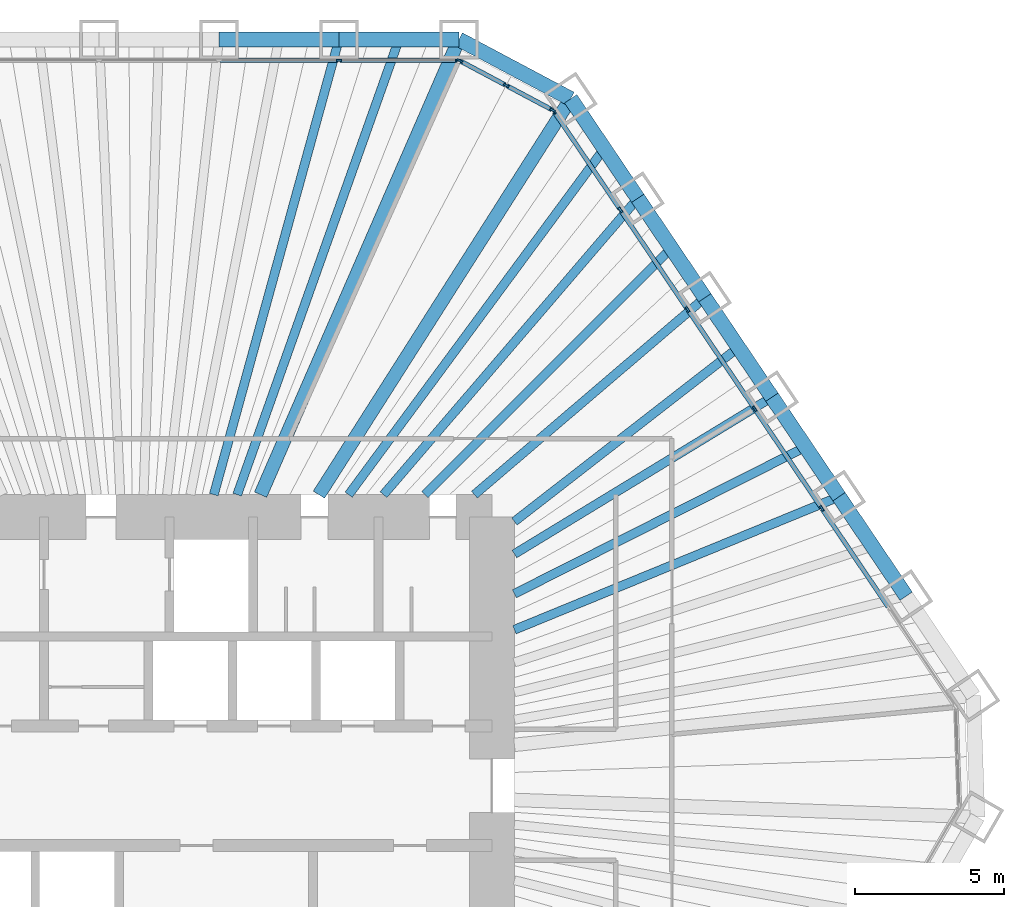
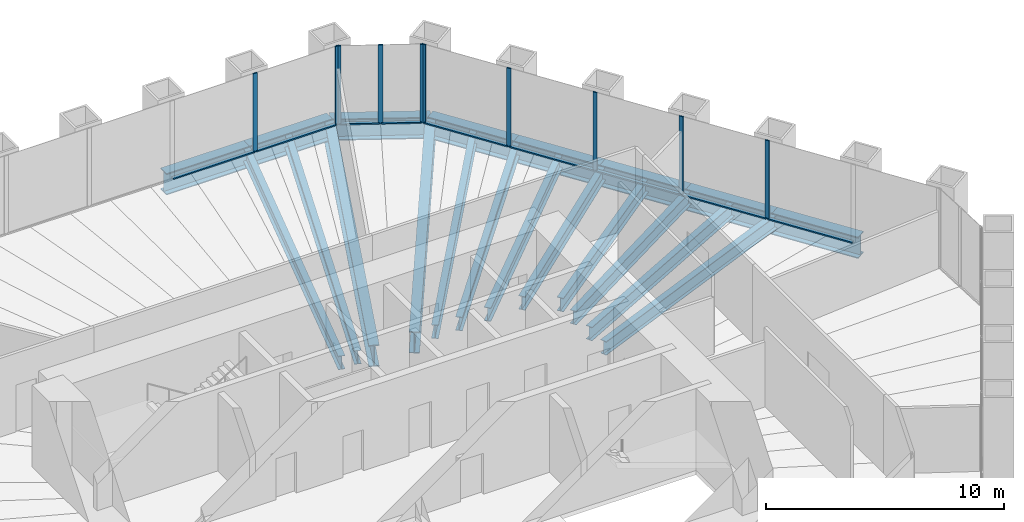
# One storey, part 7 of 13: 20 beams, 19 members, 3 elements without a shape of their own.
"""IFC4 building model written with IfcOpenShell, lengths in metres."""

from ifc_helpers import new_model, si_unit, direction, frame, origin, origin_2d, place, context, subcontext, project, spatial, rectangle, i_section, extrude, material, material_profile, profile_set, type_object, element, aggregate, save


model = new_model("IFC4")

# Units and contexts
model_context = context("Model", 3, precision=1e-05, world=origin(), true_north=direction((0.0, 1.0)))
body_context = subcontext(model_context, "Body", "Model", "MODEL_VIEW")
ifc_project = project(units=[si_unit("LENGTHUNIT", "METRE"), si_unit("AREAUNIT", "SQUARE_METRE"), si_unit("VOLUMEUNIT", "CUBIC_METRE"), si_unit("PLANEANGLEUNIT", "RADIAN"), si_unit("MASSUNIT", "GRAM", prefix="KILO")], contexts=[model_context])

# Site, building, storey
site_placement = place(None, origin())
site = spatial("IfcSite", under=ifc_project, at=site_placement, CompositionType="ELEMENT")
building_placement = place(site_placement, origin())
building = spatial("IfcBuilding", under=site, at=building_placement, Name="Qingtian Harvest Tower", CompositionType="ELEMENT")
storey_placement = place(building_placement, frame((0.0, 0.0, 115.60009765625)))
storey = spatial("IfcBuildingStorey", under=building, at=storey_placement, Name="L23", CompositionType="ELEMENT", Elevation=115.60009765625)

# Beams
ifc_material_1 = material(Name="Steel SM570MC", Category="steel")
ifc_material_profile_1 = material_profile(ifc_material_1, i_section(OverallWidth=0.449951171875, OverallDepth=1.10009765625, WebThickness=0.02197265625, FlangeThickness=0.044921875, at=origin_2d()), Name="H1100x450x22x45")
ifc_profile_set_1 = profile_set([ifc_material_profile_1], Name="Steel SM570MC")
beam_type_1 = type_object("IfcBeamType", Name="Corner floor beam FB8 H1100x450x22x45", PredefinedType="BEAM", material=ifc_profile_set_1)
beam_1_placement = place(storey_placement, frame((10.892822265625, 25.0, -0.72021484375), z_axis=(-0.399451016538, -0.916754539333, 0.0), x_axis=(0.916754539333, -0.399451016538, 0.0)))
element("IfcBeam", 1, at=beam_1_placement, inside=storey, type_object=beam_type_1, Name="Floor beam FB8 N6", PredefinedType="BEAM", context=body_context, shape_type="SweptSolid", body=[
    extrude(i_section(OverallWidth=0.449951171875, OverallDepth=1.10009765625, WebThickness=0.02197265625, FlangeThickness=0.044921875, at=origin_2d()), origin(), (0.0, 0.0, 1.0), 16.634765625),
])
beam_2_placement = place(storey_placement, frame((14.634765625, 23.01025390625, -0.72021484375), z_axis=(-0.536660352939, -0.843798355997, 0.0), x_axis=(0.843798355997, -0.536660352939, 0.0)))
element("IfcBeam", 2, at=beam_2_placement, inside=storey, type_object=beam_type_1, Name="Floor beam FB8 NE0", PredefinedType="BEAM", context=body_context, shape_type="SweptSolid", body=[
    extrude(i_section(OverallWidth=0.449951171875, OverallDepth=1.10009765625, WebThickness=0.02197265625, FlangeThickness=0.044921875, at=origin_2d()), origin(), (0.0, 0.0, 1.0), 15.71484375),
])
ifc_material_2 = material(Name="Steel SN490B", Category="steel")
ifc_material_profile_2 = material_profile(ifc_material_2, i_section(OverallWidth=0.300048828125, OverallDepth=0.699951171875, WebThickness=0.012939453125, FlangeThickness=0.02392578125, at=origin_2d()), Name="H700x300x13x24")
ifc_profile_set_2 = profile_set([ifc_material_profile_2], Name="Steel SN490B")
beam_type_2 = type_object("IfcBeamType", Name="Floor beam FB2 H700x300x13x24", PredefinedType="BEAM", material=ifc_profile_set_2)
beam_3_placement = place(storey_placement, frame((6.873779296875, 25.0, -0.52001953125), z_axis=(-0.265119170108, -0.964215653078, 0.0), x_axis=(0.964215653078, -0.265119170108, 0.0)))
element("IfcBeam", 3, at=beam_3_placement, inside=storey, type_object=beam_type_2, Name="Floor beam FB2 N5", PredefinedType="BEAM", context=body_context, shape_type="SweptSolid", body=[
    extrude(i_section(OverallWidth=0.300048828125, OverallDepth=0.699951171875, WebThickness=0.012939453125, FlangeThickness=0.02392578125, at=origin_2d()), origin(), (0.0, 0.0, 1.0), 15.81591796875),
])
beam_4_placement = place(storey_placement, frame((16.88232421875, 19.67822265625, -0.52001953125), z_axis=(-0.651140196702, -0.758957471957, 0.0), x_axis=(0.758957471957, -0.651140196702, 0.0)))
element("IfcBeam", 4, at=beam_4_placement, inside=storey, type_object=beam_type_2, Name="Floor beam FB2 NE1", PredefinedType="BEAM", context=body_context, shape_type="SweptSolid", body=[
    extrude(i_section(OverallWidth=0.300048828125, OverallDepth=0.699951171875, WebThickness=0.012939453125, FlangeThickness=0.02392578125, at=origin_2d()), origin(), (0.0, 0.0, 1.0), 13.081298828125),
])
beam_5_placement = place(storey_placement, frame((19.129638671875, 16.346435546875, -0.52001953125), z_axis=(-0.760241810635, -0.649640199928, 0.0), x_axis=(0.649640199928, -0.760241810635, 0.0)))
element("IfcBeam", 5, at=beam_5_placement, inside=storey, type_object=beam_type_2, Name="Floor beam FB2 NE2", PredefinedType="BEAM", context=body_context, shape_type="SweptSolid", body=[
    extrude(i_section(OverallWidth=0.300048828125, OverallDepth=0.699951171875, WebThickness=0.012939453125, FlangeThickness=0.02392578125, at=origin_2d()), origin(), (0.0, 0.0, 1.0), 10.154052734375),
])
beam_6_placement = place(storey_placement, frame((21.377197265625, 13.014404296875, -0.52001953125), z_axis=(-0.854160745245, -0.520009058846, 0.0), x_axis=(0.520009058846, -0.854160745245, 0.0)))
element("IfcBeam", 6, at=beam_6_placement, inside=storey, type_object=beam_type_2, Name="Floor beam FB2 NE3", PredefinedType="BEAM", context=body_context, shape_type="SweptSolid", body=[
    extrude(i_section(OverallWidth=0.300048828125, OverallDepth=0.699951171875, WebThickness=0.012939453125, FlangeThickness=0.02392578125, at=origin_2d()), origin(), (0.0, 0.0, 1.0), 10.10009765625),
])
beam_7_placement = place(storey_placement, frame((23.62451171875, 9.682373046875, -0.52001953125), z_axis=(-0.925304541163, -0.379224875375, 0.0), x_axis=(0.379224875375, -0.925304541163, 0.0)))
element("IfcBeam", 7, at=beam_7_placement, inside=storey, type_object=beam_type_2, Name="Floor beam FB2 NE4", PredefinedType="BEAM", context=body_context, shape_type="SweptSolid", body=[
    extrude(i_section(OverallWidth=0.300048828125, OverallDepth=0.699951171875, WebThickness=0.012939453125, FlangeThickness=0.02392578125, at=origin_2d()), origin(), (0.0, 0.0, 1.0), 11.75244140625),
])
ifc_material_3 = material(Name="Steel SN490B", Category="steel")
ifc_material_profile_3 = material_profile(ifc_material_3, i_section(OverallWidth=0.300048828125, OverallDepth=0.699951171875, WebThickness=0.012939453125, FlangeThickness=0.02392578125, at=origin_2d()), Name="H700x300x13x24")
ifc_profile_set_3 = profile_set([ifc_material_profile_3], Name="Steel SN490B")
beam_type_3 = type_object("IfcBeamType", Name="Floor joist J2 H700x300x13x24", PredefinedType="JOIST", material=ifc_profile_set_3)
beam_8_placement = place(storey_placement, frame((8.88330078125, 25.0, -0.52001953125), z_axis=(-0.334829909573, -0.94227858495, 0.0), x_axis=(0.94227858495, -0.334829909573, 0.0)))
element("IfcBeam", 8, at=beam_8_placement, inside=storey, type_object=beam_type_3, Name="Floor joist J2 N5", PredefinedType="JOIST", context=body_context, shape_type="SweptSolid", body=[
    extrude(i_section(OverallWidth=0.300048828125, OverallDepth=0.699951171875, WebThickness=0.012939453125, FlangeThickness=0.02392578125, at=origin_2d()), origin(), (0.0, 0.0, 1.0), 16.18408203125),
])
beam_9_placement = place(storey_placement, frame((15.758544921875, 21.34423828125, -0.52001953125), z_axis=(-0.593960386058, -0.804494288229, 0.0), x_axis=(0.804494288229, -0.593960386058, 0.0)))
element("IfcBeam", 9, at=beam_9_placement, inside=storey, type_object=beam_type_3, Name="Floor joist J2 NE0", PredefinedType="JOIST", context=body_context, shape_type="SweptSolid", body=[
    extrude(i_section(OverallWidth=0.300048828125, OverallDepth=0.699951171875, WebThickness=0.012939453125, FlangeThickness=0.02392578125, at=origin_2d()), origin(), (0.0, 0.0, 1.0), 14.411865234375),
])
beam_10_placement = place(storey_placement, frame((18.005859375, 18.012451171875, -0.52001953125), z_axis=(-0.706970932755, -0.707242603524, 0.0), x_axis=(0.707242603524, -0.706970932755, 0.0)))
element("IfcBeam", 10, at=beam_10_placement, inside=storey, type_object=beam_type_3, Name="Floor joist J2 NE1", PredefinedType="JOIST", context=body_context, shape_type="SweptSolid", body=[
    extrude(i_section(OverallWidth=0.300048828125, OverallDepth=0.699951171875, WebThickness=0.012939453125, FlangeThickness=0.02392578125, at=origin_2d()), origin(), (0.0, 0.0, 1.0), 11.6826171875),
])
beam_11_placement = place(storey_placement, frame((20.25341796875, 14.680419921875, -0.52001953125), z_axis=(-0.789641272199, -0.61356879096, 0.0), x_axis=(0.61356879096, -0.789641272199, 0.0)))
element("IfcBeam", 11, at=beam_11_placement, inside=storey, type_object=beam_type_3, Name="Floor joist J2 NE2", PredefinedType="JOIST", context=body_context, shape_type="SweptSolid", body=[
    extrude(i_section(OverallWidth=0.300048828125, OverallDepth=0.699951171875, WebThickness=0.012939453125, FlangeThickness=0.02392578125, at=origin_2d()), origin(), (0.0, 0.0, 1.0), 9.502197265625),
])
beam_12_placement = place(storey_placement, frame((22.500732421875, 11.348388671875, -0.52001953125), z_axis=(-0.892861323685, -0.450331718478, 0.0), x_axis=(0.450331718478, -0.892861323685, 0.0)))
element("IfcBeam", 12, at=beam_12_placement, inside=storey, type_object=beam_type_3, Name="Floor joist J2 NE3", PredefinedType="JOIST", context=body_context, shape_type="SweptSolid", body=[
    extrude(i_section(OverallWidth=0.300048828125, OverallDepth=0.699951171875, WebThickness=0.012939453125, FlangeThickness=0.02392578125, at=origin_2d()), origin(), (0.0, 0.0, 1.0), 10.920654296875),
])

# Curtain wall, members
ifc_material_4 = material(Name="Bronze-anodised aluminium curtain wall", Category="aluminium")
curtain_wall_type = type_object("IfcCurtainWallType", Name="Curtain wall CW4 office", PredefinedType="USERDEFINED", material=ifc_material_4)
curtain_wall_1_placement = place(storey_placement, origin())
curtain_wall_1 = element("IfcCurtainWall", 13, at=curtain_wall_1_placement, inside=storey, type_object=curtain_wall_type, Name="Curtain wall CW4 L23 N0-5", ObjectType="RECESSED CURTAIN WALL", PredefinedType="USERDEFINED")
ifc_material_5 = material(Name="Bronze-anodised aluminium mullion", Category="aluminium")
ifc_material_profile_4 = material_profile(ifc_material_5, rectangle(XDim=0.06494140625, YDim=0.199951171875, at=origin_2d()), Name="AL 65x200")
ifc_profile_set_4 = profile_set([ifc_material_profile_4], Name="Bronze-anodised aluminium mullion")
member_type_1 = type_object("IfcMemberType", Name="Mullion CWM 65x200", PredefinedType="MULLION", material=ifc_profile_set_4)
member_1_placement = place(storey_placement, frame((6.873779296875, 24.300048828125, 0.0), z_axis=(0.0, 0.0, 1.0), x_axis=(0.0, 1.0, 0.0)))
member_1 = element("IfcMember", 14, at=member_1_placement, type_object=member_type_1, Name="CW4 mullion 6", PredefinedType="MULLION", context=body_context, shape_type="SweptSolid", body=[
    extrude(rectangle(XDim=0.06494140625, YDim=0.199951171875, at=origin_2d()), origin(), (0.0, 0.0, 1.0), 4.02978515625),
])
member_2_placement = place(storey_placement, frame((10.8603515625, 24.300048828125, 0.0), z_axis=(0.0, 0.0, 1.0), x_axis=(0.0, 1.0, 0.0)))
member_2 = element("IfcMember", 15, at=member_2_placement, type_object=member_type_1, Name="CW4 mullion 7", PredefinedType="MULLION", context=body_context, shape_type="SweptSolid", body=[
    extrude(rectangle(XDim=0.06494140625, YDim=0.199951171875, at=origin_2d()), origin(), (0.0, 0.0, 1.0), 4.02978515625),
])

curtain_wall_2_placement = place(storey_placement, origin())
curtain_wall_2 = element("IfcCurtainWall", 16, at=curtain_wall_2_placement, inside=storey, type_object=curtain_wall_type, Name="Curtain wall CW4 L23 NC", ObjectType="RECESSED CURTAIN WALL", PredefinedType="USERDEFINED")
member_3_placement = place(storey_placement, frame((10.92138671875, 24.28466796875, 0.0), z_axis=(0.0, 0.0, 1.0), x_axis=(0.469471562786, 0.882947592859, 0.0)))
member_3 = element("IfcMember", 17, at=member_3_placement, type_object=member_type_1, Name="CW4 mullion 1", PredefinedType="MULLION", context=body_context, shape_type="SweptSolid", body=[
    extrude(rectangle(XDim=0.06494140625, YDim=0.199951171875, at=origin_2d()), origin(), (0.0, 0.0, 1.0), 4.02978515625),
])
member_4_placement = place(storey_placement, frame((12.4736328125, 23.45947265625, 0.0), z_axis=(0.0, 0.0, 1.0), x_axis=(0.469471562786, 0.882947592859, 0.0)))
member_4 = element("IfcMember", 18, at=member_4_placement, type_object=member_type_1, Name="CW4 mullion 2", PredefinedType="MULLION", context=body_context, shape_type="SweptSolid", body=[
    extrude(rectangle(XDim=0.06494140625, YDim=0.199951171875, at=origin_2d()), origin(), (0.0, 0.0, 1.0), 4.02978515625),
])
member_5_placement = place(storey_placement, frame((14.02587890625, 22.634033203125, 0.0), z_axis=(0.0, 0.0, 1.0), x_axis=(0.469471562786, 0.882947592859, 0.0)))
member_5 = element("IfcMember", 19, at=member_5_placement, type_object=member_type_1, Name="CW4 mullion 3", PredefinedType="MULLION", context=body_context, shape_type="SweptSolid", body=[
    extrude(rectangle(XDim=0.06494140625, YDim=0.199951171875, at=origin_2d()), origin(), (0.0, 0.0, 1.0), 4.02978515625),
])

curtain_wall_3_placement = place(storey_placement, origin())
curtain_wall_3 = element("IfcCurtainWall", 20, at=curtain_wall_3_placement, inside=storey, type_object=curtain_wall_type, Name="Curtain wall CW4 L23 NE0-5", ObjectType="RECESSED CURTAIN WALL", PredefinedType="USERDEFINED")
member_6_placement = place(storey_placement, frame((14.07275390625, 22.592041015625, 0.0), z_axis=(0.0, 0.0, 1.0), x_axis=(0.829037572555, 0.559192903471, 0.0)))
member_6 = element("IfcMember", 21, at=member_6_placement, type_object=member_type_1, Name="CW4 mullion 1", PredefinedType="MULLION", context=body_context, shape_type="SweptSolid", body=[
    extrude(rectangle(XDim=0.06494140625, YDim=0.199951171875, at=origin_2d()), origin(), (0.0, 0.0, 1.0), 4.02978515625),
])
member_7_placement = place(storey_placement, frame((16.302001953125, 19.286865234375, 0.0), z_axis=(0.0, 0.0, 1.0), x_axis=(0.829037572555, 0.559192903471, 0.0)))
member_7 = element("IfcMember", 22, at=member_7_placement, type_object=member_type_1, Name="CW4 mullion 2", PredefinedType="MULLION", context=body_context, shape_type="SweptSolid", body=[
    extrude(rectangle(XDim=0.06494140625, YDim=0.199951171875, at=origin_2d()), origin(), (0.0, 0.0, 1.0), 4.02978515625),
])
member_8_placement = place(storey_placement, frame((18.54931640625, 15.954833984375, 0.0), z_axis=(0.0, 0.0, 1.0), x_axis=(0.829037572555, 0.559192903471, 0.0)))
member_8 = element("IfcMember", 23, at=member_8_placement, type_object=member_type_1, Name="CW4 mullion 3", PredefinedType="MULLION", context=body_context, shape_type="SweptSolid", body=[
    extrude(rectangle(XDim=0.06494140625, YDim=0.199951171875, at=origin_2d()), origin(), (0.0, 0.0, 1.0), 4.02978515625),
])
member_9_placement = place(storey_placement, frame((20.796875, 12.623046875, 0.0), z_axis=(0.0, 0.0, 1.0), x_axis=(0.829037572555, 0.559192903471, 0.0)))
member_9 = element("IfcMember", 24, at=member_9_placement, type_object=member_type_1, Name="CW4 mullion 4", PredefinedType="MULLION", context=body_context, shape_type="SweptSolid", body=[
    extrude(rectangle(XDim=0.06494140625, YDim=0.199951171875, at=origin_2d()), origin(), (0.0, 0.0, 1.0), 4.02978515625),
])
member_10_placement = place(storey_placement, frame((23.044189453125, 9.291015625, 0.0), z_axis=(0.0, 0.0, 1.0), x_axis=(0.829037572555, 0.559192903471, 0.0)))
member_10 = element("IfcMember", 25, at=member_10_placement, type_object=member_type_1, Name="CW4 mullion 5", PredefinedType="MULLION", context=body_context, shape_type="SweptSolid", body=[
    extrude(rectangle(XDim=0.06494140625, YDim=0.199951171875, at=origin_2d()), origin(), (0.0, 0.0, 1.0), 4.02978515625),
])

# Beams
ifc_material_6 = material(Name="Steel SM570MC", Category="steel")
ifc_material_profile_5 = material_profile(ifc_material_6, i_section(OverallWidth=0.5, OverallDepth=1.10009765625, WebThickness=0.02490234375, FlangeThickness=0.050048828125, at=origin_2d()), Name="H1100x500x25x50")
ifc_profile_set_5 = profile_set([ifc_material_profile_5], Name="Steel SM570MC")
beam_type_4 = type_object("IfcBeamType", Name="Spandrel beam SB2 H1100x500x25x50", PredefinedType="SPANDREL", material=ifc_profile_set_5)
beam_13_placement = place(storey_placement, frame((2.8544921875, 25.0, -0.550048828125), z_axis=(1.0, 0.0, 0.0), x_axis=(0.0, 1.0, 0.0)))
element("IfcBeam", 26, at=beam_13_placement, inside=storey, type_object=beam_type_4, Name="Spandrel SB2 N4", PredefinedType="SPANDREL", context=body_context, shape_type="SweptSolid", body=[
    extrude(i_section(OverallWidth=0.5, OverallDepth=1.10009765625, WebThickness=0.02490234375, FlangeThickness=0.050048828125, at=origin_2d()), origin(), (0.0, 0.0, 1.0), 4.019287109375),
])
beam_14_placement = place(storey_placement, frame((6.873779296875, 25.0, -0.550048828125), z_axis=(1.0, 0.0, 0.0), x_axis=(0.0, 1.0, 0.0)))
element("IfcBeam", 27, at=beam_14_placement, inside=storey, type_object=beam_type_4, Name="Spandrel SB2 N5", PredefinedType="SPANDREL", context=body_context, shape_type="SweptSolid", body=[
    extrude(i_section(OverallWidth=0.5, OverallDepth=1.10009765625, WebThickness=0.02490234375, FlangeThickness=0.050048828125, at=origin_2d()), origin(), (0.0, 0.0, 1.0), 4.01904296875),
])
beam_15_placement = place(storey_placement, frame((10.892822265625, 25.0, -0.550048828125), z_axis=(0.882935902835, -0.469493547863, 0.0), x_axis=(0.469493547863, 0.882935902835, 0.0)))
element("IfcBeam", 28, at=beam_15_placement, inside=storey, type_object=beam_type_4, Name="Spandrel SB2 NC", PredefinedType="SPANDREL", context=body_context, shape_type="SweptSolid", body=[
    extrude(i_section(OverallWidth=0.5, OverallDepth=1.10009765625, WebThickness=0.02490234375, FlangeThickness=0.050048828125, at=origin_2d()), origin(), (0.0, 0.0, 1.0), 4.238037109375),
])
beam_16_placement = place(storey_placement, frame((14.634765625, 23.01025390625, -0.550048828125), z_axis=(0.559205752254, -0.829028905796, 0.0), x_axis=(0.829028905796, 0.559205752254, 0.0)))
element("IfcBeam", 29, at=beam_16_placement, inside=storey, type_object=beam_type_4, Name="Spandrel SB2 NE0", PredefinedType="SPANDREL", context=body_context, shape_type="SweptSolid", body=[
    extrude(i_section(OverallWidth=0.5, OverallDepth=1.10009765625, WebThickness=0.02490234375, FlangeThickness=0.050048828125, at=origin_2d()), origin(), (0.0, 0.0, 1.0), 4.019287109375),
])
beam_17_placement = place(storey_placement, frame((16.88232421875, 19.67822265625, -0.550048828125), z_axis=(0.55919216322, -0.82903807186, 0.0), x_axis=(0.82903807186, 0.55919216322, 0.0)))
element("IfcBeam", 30, at=beam_17_placement, inside=storey, type_object=beam_type_4, Name="Spandrel SB2 NE1", PredefinedType="SPANDREL", context=body_context, shape_type="SweptSolid", body=[
    extrude(i_section(OverallWidth=0.5, OverallDepth=1.10009765625, WebThickness=0.02490234375, FlangeThickness=0.050048828125, at=origin_2d()), origin(), (0.0, 0.0, 1.0), 4.018798828125),
])
beam_18_placement = place(storey_placement, frame((19.129638671875, 16.346435546875, -0.550048828125), z_axis=(0.559205752254, -0.829028905796, 0.0), x_axis=(0.829028905796, 0.559205752254, 0.0)))
element("IfcBeam", 31, at=beam_18_placement, inside=storey, type_object=beam_type_4, Name="Spandrel SB2 NE2", PredefinedType="SPANDREL", context=body_context, shape_type="SweptSolid", body=[
    extrude(i_section(OverallWidth=0.5, OverallDepth=1.10009765625, WebThickness=0.02490234375, FlangeThickness=0.050048828125, at=origin_2d()), origin(), (0.0, 0.0, 1.0), 4.019287109375),
])
for number, where, z_axis, x_axis, name in (
    (32, (21.377197265625, 13.014404296875, -0.550048828125), (0.55916400171, -0.829057066306, 0.0), (0.829057066306, 0.55916400171, 0.0), "Spandrel SB2 NE3"),
    (33, (23.62451171875, 9.682373046875, -0.550048828125), (0.559233913953, -0.829009909159, 0.0), (0.829009909159, 0.559233913953, 0.0), "Spandrel SB2 NE4"),
):
    element("IfcBeam", number, at=place(storey_placement, frame(where, z_axis=z_axis, x_axis=x_axis)), inside=storey, type_object=beam_type_4, Name=name, PredefinedType="SPANDREL", context=body_context, shape_type="SweptSolid", body=[
        extrude(i_section(OverallWidth=0.5, OverallDepth=1.10009765625, WebThickness=0.02490234375, FlangeThickness=0.050048828125, at=origin_2d()), origin(), (0.0, 0.0, 1.0), 4.01904296875),
    ])

# Member
ifc_material_7 = material(Name="Bronze-anodised aluminium transom", Category="aluminium")
ifc_material_profile_6 = material_profile(ifc_material_7, rectangle(XDim=0.14990234375, YDim=0.06494140625, at=origin_2d()), Name="AL 65x150")
ifc_profile_set_6 = profile_set([ifc_material_profile_6], Name="Bronze-anodised aluminium transom")
member_type_2 = type_object("IfcMemberType", Name="Transom CWT 65x150", PredefinedType="USERDEFINED", material=ifc_profile_set_6)
member_11_placement = place(storey_placement, frame((2.886962890625, 24.300048828125, 0.032470703125), z_axis=(1.0, 0.0, 0.0), x_axis=(0.0, 1.0, 0.0)))
member_11 = element("IfcMember", 34, at=member_11_placement, type_object=member_type_2, Name="CW4 transom 5.1", ObjectType="TRANSOM", PredefinedType="USERDEFINED", context=body_context, shape_type="SweptSolid", body=[
    extrude(rectangle(XDim=0.14990234375, YDim=0.06494140625, at=origin_2d()), origin(), (0.0, 0.0, 1.0), 3.9541015625),
])

member_12_placement = place(storey_placement, frame((6.90625, 24.300048828125, 0.032470703125), z_axis=(1.0, 0.0, 0.0), x_axis=(0.0, 1.0, 0.0)))
member_12 = element("IfcMember", 35, at=member_12_placement, type_object=member_type_2, Name="CW4 transom 6.1", ObjectType="TRANSOM", PredefinedType="USERDEFINED", context=body_context, shape_type="SweptSolid", body=[
    extrude(rectangle(XDim=0.14990234375, YDim=0.06494140625, at=origin_2d()), origin(), (0.0, 0.0, 1.0), 3.92138671875),
])

aggregate(curtain_wall_1, [member_1, member_2, member_11, member_12])

member_13_placement = place(storey_placement, frame((10.9501953125, 24.26953125, 0.032470703125), z_axis=(0.882895287784, -0.469569921108, 0.0), x_axis=(0.469569921108, 0.882895287784, 0.0)))
member_13 = element("IfcMember", 36, at=member_13_placement, type_object=member_type_2, Name="CW4 transom 1.1", ObjectType="TRANSOM", PredefinedType="USERDEFINED", context=body_context, shape_type="SweptSolid", body=[
    extrude(rectangle(XDim=0.14990234375, YDim=0.06494140625, at=origin_2d()), origin(), (0.0, 0.0, 1.0), 1.69287109375),
])

member_14_placement = place(storey_placement, frame((12.502197265625, 23.444091796875, 0.032470703125), z_axis=(0.882986854304, -0.469397715297, 0.0), x_axis=(0.469397715297, 0.882986854304, 0.0)))
member_14 = element("IfcMember", 37, at=member_14_placement, type_object=member_type_2, Name="CW4 transom 2.1", ObjectType="TRANSOM", PredefinedType="USERDEFINED", context=body_context, shape_type="SweptSolid", body=[
    extrude(rectangle(XDim=0.14990234375, YDim=0.06494140625, at=origin_2d()), origin(), (0.0, 0.0, 1.0), 1.69287109375),
])

aggregate(curtain_wall_2, [member_3, member_4, member_5, member_13, member_14])

member_15_placement = place(storey_placement, frame((14.0908203125, 22.56494140625, 0.032470703125), z_axis=(0.55920336949, -0.82903051304, 0.0), x_axis=(0.82903051304, 0.55920336949, 0.0)))
member_15 = element("IfcMember", 38, at=member_15_placement, type_object=member_type_2, Name="CW4 transom 1.1", ObjectType="TRANSOM", PredefinedType="USERDEFINED", context=body_context, shape_type="SweptSolid", body=[
    extrude(rectangle(XDim=0.14990234375, YDim=0.06494140625, at=origin_2d()), origin(), (0.0, 0.0, 1.0), 3.92138671875),
])

member_16_placement = place(storey_placement, frame((16.320068359375, 19.260009765625, 0.032470703125), z_axis=(0.55920878069, -0.829026863014, 0.0), x_axis=(0.829026863014, 0.55920878069, 0.0)))
member_16 = element("IfcMember", 39, at=member_16_placement, type_object=member_type_2, Name="CW4 transom 2.1", ObjectType="TRANSOM", PredefinedType="USERDEFINED", context=body_context, shape_type="SweptSolid", body=[
    extrude(rectangle(XDim=0.14990234375, YDim=0.06494140625, at=origin_2d()), origin(), (0.0, 0.0, 1.0), 3.9541015625),
])

member_17_placement = place(storey_placement, frame((18.567626953125, 15.927978515625, 0.032470703125), z_axis=(0.559166343236, -0.82905548704, 0.0), x_axis=(0.82905548704, 0.559166343236, 0.0)))
member_17 = element("IfcMember", 40, at=member_17_placement, type_object=member_type_2, Name="CW4 transom 3.1", ObjectType="TRANSOM", PredefinedType="USERDEFINED", context=body_context, shape_type="SweptSolid", body=[
    extrude(rectangle(XDim=0.14990234375, YDim=0.06494140625, at=origin_2d()), origin(), (0.0, 0.0, 1.0), 3.9541015625),
])

member_18_placement = place(storey_placement, frame((20.81494140625, 12.595947265625, 0.032470703125), z_axis=(0.55920878069, -0.829026863014, 0.0), x_axis=(0.829026863014, 0.55920878069, 0.0)))
member_18 = element("IfcMember", 41, at=member_18_placement, type_object=member_type_2, Name="CW4 transom 4.1", ObjectType="TRANSOM", PredefinedType="USERDEFINED", context=body_context, shape_type="SweptSolid", body=[
    extrude(rectangle(XDim=0.14990234375, YDim=0.06494140625, at=origin_2d()), origin(), (0.0, 0.0, 1.0), 3.9541015625),
])

member_19_placement = place(storey_placement, frame((23.0625, 9.26416015625, 0.032470703125), z_axis=(0.559166343236, -0.82905548704, 0.0), x_axis=(0.82905548704, 0.559166343236, 0.0)))
member_19 = element("IfcMember", 42, at=member_19_placement, type_object=member_type_2, Name="CW4 transom 5.1", ObjectType="TRANSOM", PredefinedType="USERDEFINED", context=body_context, shape_type="SweptSolid", body=[
    extrude(rectangle(XDim=0.14990234375, YDim=0.06494140625, at=origin_2d()), origin(), (0.0, 0.0, 1.0), 3.9541015625),
])

aggregate(curtain_wall_3, [member_6, member_7, member_8, member_9, member_10, member_15, member_16, member_17, member_18, member_19])

save(model, "model.ifc")
